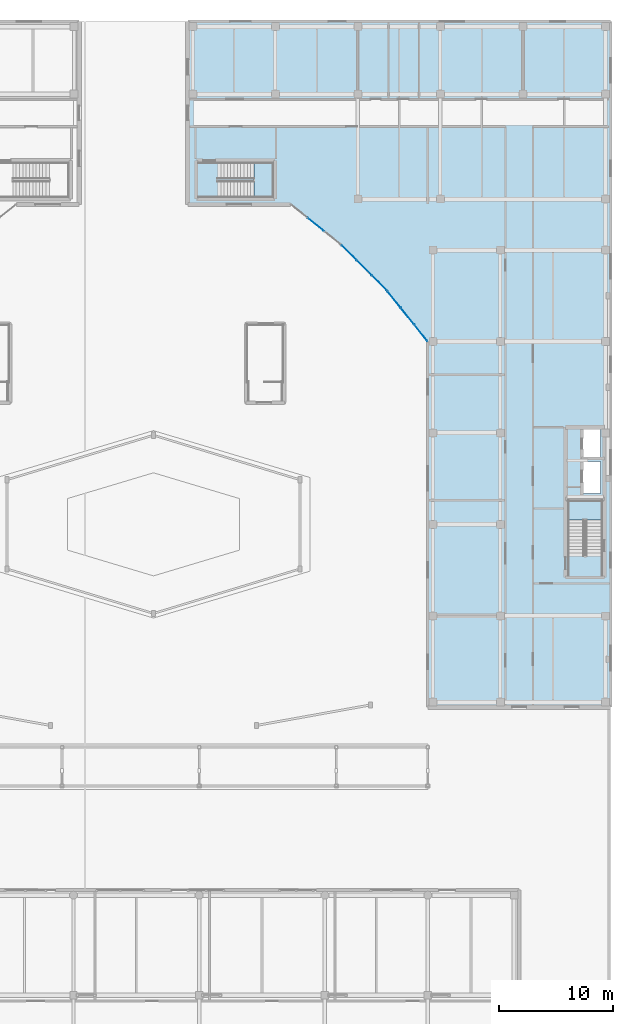
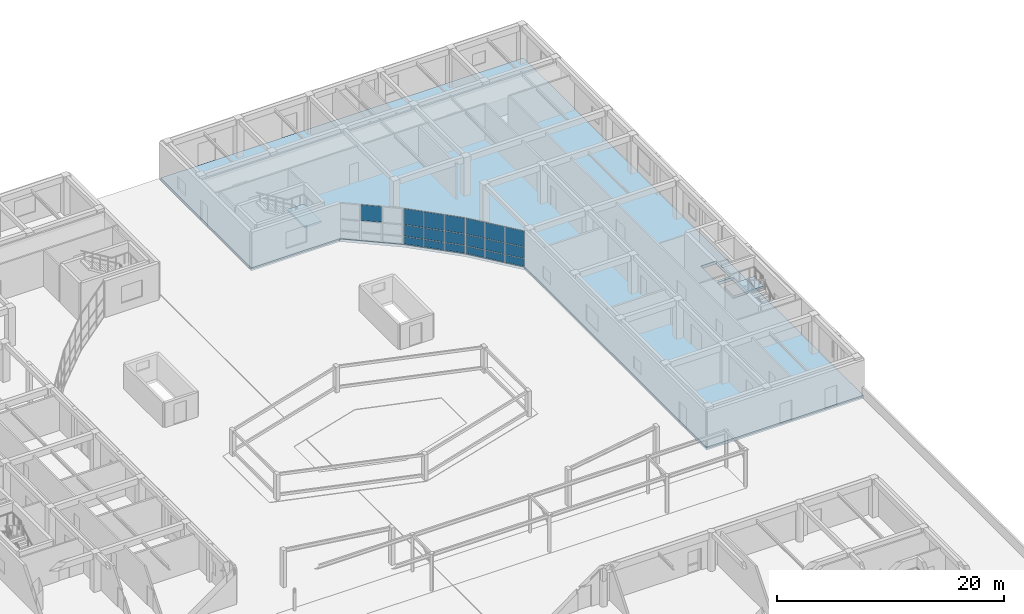
# One storey, part 67 of 114: 19 plates, 3 slabs, 5 elements without a shape of their own.
"""IFC4 building model written with IfcOpenShell, lengths in metres."""

from ifc_helpers import new_model, si_unit, direction, frame, origin, origin_2d, place, context, subcontext, project, spatial, polyline, rectangle, outline, extrude, material, layer, layer_set, type_object, element, aggregate, save


model = new_model("IFC4")

# Units and contexts
model_context = context("Model", 3, precision=1e-05, world=origin(), true_north=direction((0.0, 1.0)))
body_context = subcontext(model_context, "Body", "Model", "MODEL_VIEW")
ifc_project = project(units=[si_unit("LENGTHUNIT", "METRE"), si_unit("AREAUNIT", "SQUARE_METRE"), si_unit("VOLUMEUNIT", "CUBIC_METRE"), si_unit("PLANEANGLEUNIT", "RADIAN"), si_unit("MASSUNIT", "GRAM", prefix="KILO")], contexts=[model_context])

# Site, building, storey
site_placement = place(None, origin())
site = spatial("IfcSite", under=ifc_project, at=site_placement, CompositionType="ELEMENT")
building_placement = place(site_placement, origin())
building = spatial("IfcBuilding", under=site, at=building_placement, Name="Keldmere Railside Commons", CompositionType="ELEMENT")
storey_placement = place(building_placement, origin())
storey = spatial("IfcBuildingStorey", under=building, at=storey_placement, Name="L00", CompositionType="ELEMENT", Elevation=0.0)

# Curtain wall, plate
ifc_material_1 = material(Name="Thermally Broken Aluminium", Category="aluminium")
ifc_layer_1 = layer(ifc_material_1, 0.159912109375, Name="Residential Lounge Frontage CW 4600x3600")
ifc_layer_set_1 = layer_set([ifc_layer_1], Name="Thermally Broken Aluminium")
curtain_wall_type_1 = type_object("IfcCurtainWallType", Name="Residential Lounge Frontage CW 4600x3600", PredefinedType="NOTDEFINED", material=ifc_layer_set_1)
curtain_wall_1_placement = place(storey_placement, origin())
curtain_wall_1 = element("IfcCurtainWall", 1, at=curtain_wall_1_placement, inside=storey, type_object=curtain_wall_type_1, Name="CW-11 CW-L00-157", PredefinedType="NOTDEFINED")
ifc_material_2 = material(Name="Low-E Insulated Double Glazing", Category="glass")
ifc_layer_2 = layer(ifc_material_2, 0.033935546875, Name="Acoustic Laminated Vision Panel 34")
ifc_layer_set_2 = layer_set([ifc_layer_2], Name="Low-E Insulated Double Glazing")
plate_type_1 = type_object("IfcPlateType", Name="Acoustic Laminated Vision Panel 34", PredefinedType="CURTAIN_PANEL", material=ifc_layer_set_2)
plate_1_placement = place(storey_placement, frame((158.215087890625, 98.222900390625, 2.1826171875), z_axis=(0.0, 0.0, 1.0), x_axis=(-0.780009172323, 0.625768080915, 0.0)))
plate_1 = element("IfcPlate", 2, at=plate_1_placement, type_object=plate_type_1, Name="CW-11 panel 2.3", PredefinedType="CURTAIN_PANEL", context=body_context, shape_type="SweptSolid", body=[
    extrude(rectangle(XDim=1.828125, YDim=0.033935546875, at=origin_2d()), origin(), (0.0, 0.0, 1.0), 1.6923828125),
])
aggregate(curtain_wall_1, [plate_1])

# Curtain wall, plates
ifc_layer_3 = layer(ifc_material_1, 0.159912109375, Name="Residential Ground Entrance Lobby CW 4000x3600")
ifc_layer_set_3 = layer_set([ifc_layer_3], Name="Thermally Broken Aluminium")
curtain_wall_type_2 = type_object("IfcCurtainWallType", Name="Residential Ground Entrance Lobby CW 4000x3600", PredefinedType="NOTDEFINED", material=ifc_layer_set_3)
curtain_wall_2_placement = place(storey_placement, origin())
curtain_wall_2 = element("IfcCurtainWall", 3, at=curtain_wall_2_placement, inside=storey, type_object=curtain_wall_type_2, Name="CW-10 CW-L00-158", PredefinedType="NOTDEFINED")
ifc_layer_4 = layer(ifc_material_2, 0.031982421875, Name="Clerestory Solar-Control Vision Panel 32")
ifc_layer_set_4 = layer_set([ifc_layer_4], Name="Low-E Insulated Double Glazing")
plate_type_2 = type_object("IfcPlateType", Name="Clerestory Solar-Control Vision Panel 32", PredefinedType="CURTAIN_PANEL", material=ifc_layer_set_4)
plate_2_placement = place(storey_placement, frame((163.76513671875, 93.11083984375, 0.06494140625), z_axis=(0.0, 0.0, 1.0), x_axis=(-0.707106781187, 0.707106781187, 0.0)))
plate_2 = element("IfcPlate", 4, at=plate_2_placement, type_object=plate_type_2, Name="CW-10 panel 1.1", PredefinedType="CURTAIN_PANEL", context=body_context, shape_type="SweptSolid", body=[
    extrude(rectangle(XDim=1.795654296875, YDim=0.031982421875, at=origin_2d()), origin(), (0.0, 0.0, 1.0), 0.802490234375),
])
plate_3_placement = place(storey_placement, frame((163.76513671875, 93.11083984375, 0.932373046875), z_axis=(0.0, 0.0, 1.0), x_axis=(-0.707106781187, 0.707106781187, 0.0)))
plate_3 = element("IfcPlate", 5, at=plate_3_placement, type_object=plate_type_2, Name="CW-10 panel 1.2", PredefinedType="CURTAIN_PANEL", context=body_context, shape_type="SweptSolid", body=[
    extrude(rectangle(XDim=1.795654296875, YDim=0.031982421875, at=origin_2d()), origin(), (0.0, 0.0, 1.0), 1.18505859375),
])
plate_4_placement = place(storey_placement, frame((163.76513671875, 93.11083984375, 2.1826171875), z_axis=(0.0, 0.0, 1.0), x_axis=(-0.707106781187, 0.707106781187, 0.0)))
plate_4 = element("IfcPlate", 6, at=plate_4_placement, type_object=plate_type_2, Name="CW-10 panel 1.3", PredefinedType="CURTAIN_PANEL", context=body_context, shape_type="SweptSolid", body=[
    extrude(rectangle(XDim=1.795654296875, YDim=0.031982421875, at=origin_2d()), origin(), (0.0, 0.0, 1.0), 1.6923828125),
])
plate_5_placement = place(storey_placement, frame((162.43798828125, 94.43798828125, 0.06494140625), z_axis=(0.0, 0.0, 1.0), x_axis=(-0.707106781187, 0.707106781187, 0.0)))
plate_5 = element("IfcPlate", 7, at=plate_5_placement, type_object=plate_type_2, Name="CW-10 panel 2.1", PredefinedType="CURTAIN_PANEL", context=body_context, shape_type="SweptSolid", body=[
    extrude(rectangle(XDim=1.828125, YDim=0.031982421875, at=origin_2d()), origin(), (0.0, 0.0, 1.0), 0.802490234375),
])
plate_6_placement = place(storey_placement, frame((162.43798828125, 94.43798828125, 0.932373046875), z_axis=(0.0, 0.0, 1.0), x_axis=(-0.707106781187, 0.707106781187, 0.0)))
plate_6 = element("IfcPlate", 8, at=plate_6_placement, type_object=plate_type_2, Name="CW-10 panel 2.2", PredefinedType="CURTAIN_PANEL", context=body_context, shape_type="SweptSolid", body=[
    extrude(rectangle(XDim=1.828125, YDim=0.031982421875, at=origin_2d()), origin(), (0.0, 0.0, 1.0), 1.18505859375),
])
plate_7_placement = place(storey_placement, frame((162.43798828125, 94.43798828125, 2.1826171875), z_axis=(0.0, 0.0, 1.0), x_axis=(-0.707106781187, 0.707106781187, 0.0)))
plate_7 = element("IfcPlate", 9, at=plate_7_placement, type_object=plate_type_2, Name="CW-10 panel 2.3", PredefinedType="CURTAIN_PANEL", context=body_context, shape_type="SweptSolid", body=[
    extrude(rectangle(XDim=1.828125, YDim=0.031982421875, at=origin_2d()), origin(), (0.0, 0.0, 1.0), 1.6923828125),
])
plate_8_placement = place(storey_placement, frame((161.11083984375, 95.76513671875, 0.06494140625), z_axis=(0.0, 0.0, 1.0), x_axis=(-0.707106781187, 0.707106781187, 0.0)))
plate_8 = element("IfcPlate", 10, at=plate_8_placement, type_object=plate_type_2, Name="CW-10 panel 3.1", PredefinedType="CURTAIN_PANEL", context=body_context, shape_type="SweptSolid", body=[
    extrude(rectangle(XDim=1.795654296875, YDim=0.031982421875, at=origin_2d()), origin(), (0.0, 0.0, 1.0), 0.802490234375),
])
plate_9_placement = place(storey_placement, frame((161.11083984375, 95.76513671875, 0.932373046875), z_axis=(0.0, 0.0, 1.0), x_axis=(-0.707106781187, 0.707106781187, 0.0)))
plate_9 = element("IfcPlate", 11, at=plate_9_placement, type_object=plate_type_2, Name="CW-10 panel 3.2", PredefinedType="CURTAIN_PANEL", context=body_context, shape_type="SweptSolid", body=[
    extrude(rectangle(XDim=1.795654296875, YDim=0.031982421875, at=origin_2d()), origin(), (0.0, 0.0, 1.0), 1.18505859375),
])
plate_10_placement = place(storey_placement, frame((161.11083984375, 95.76513671875, 2.1826171875), z_axis=(0.0, 0.0, 1.0), x_axis=(-0.707106781187, 0.707106781187, 0.0)))
plate_10 = element("IfcPlate", 12, at=plate_10_placement, type_object=plate_type_2, Name="CW-10 panel 3.3", PredefinedType="CURTAIN_PANEL", context=body_context, shape_type="SweptSolid", body=[
    extrude(rectangle(XDim=1.795654296875, YDim=0.031982421875, at=origin_2d()), origin(), (0.0, 0.0, 1.0), 1.6923828125),
])
aggregate(curtain_wall_2, [plate_2, plate_3, plate_4, plate_5, plate_6, plate_7, plate_8, plate_9, plate_10])

# Stair, slab
ifc_material_3 = material(Name="Concrete H-30 (C30/37)", Category="concrete")
stair_type = type_object("IfcStairType", Name="Ground Podium Dogleg Stair 1450", PredefinedType="HALF_TURN_STAIR", material=ifc_material_3)
stair_1_placement = place(storey_placement, origin())
stair_1 = element("IfcStair", 13, at=stair_1_placement, inside=storey, type_object=stair_type, Name="L00 Block A Primary Escape Stair 1", PredefinedType="HALF_TURN_STAIR")
ifc_layer_5 = layer(ifc_material_3, 0.199951171875, Name="Enclosed Stair Landing Slab 200")
ifc_layer_set_5 = layer_set([ifc_layer_5], Name="Concrete H-30 (C30/37)")
slab_type_1 = type_object("IfcSlabType", Name="Enclosed Stair Landing Slab 200", PredefinedType="LANDING", material=ifc_layer_set_5)
slab_1_placement = place(storey_placement, frame((0.0, 0.0, 1.8798828125)))
slab_1 = element("IfcSlab", 14, at=slab_1_placement, type_object=slab_type_1, Name="ST-A1 landing 1", PredefinedType="LANDING", context=body_context, shape_type="SweptSolid", body=[
    extrude(outline(polyline([(183.300048828125, 72.389892578125), (183.300048828125, 74.10009765625), (180.25, 74.10009765625), (180.25, 72.389892578125), (183.300048828125, 72.389892578125)])), origin(), (0.0, 0.0, 1.0), 0.2001953125),
])
aggregate(stair_1, [slab_1])

stair_2_placement = place(storey_placement, origin())
stair_2 = element("IfcStair", 15, at=stair_2_placement, inside=storey, type_object=stair_type, Name="L00 Block A Secondary Escape Stair 2", PredefinedType="HALF_TURN_STAIR")
slab_2_placement = place(storey_placement, frame((0.0, 0.0, 1.8798828125)))
slab_2 = element("IfcSlab", 16, at=slab_2_placement, type_object=slab_type_1, Name="ST-A2 landing 1", PredefinedType="LANDING", context=body_context, shape_type="SweptSolid", body=[
    extrude(outline(polyline([(152.7900390625, 100.60009765625), (154.5, 100.60009765625), (154.5, 103.64990234375), (152.7900390625, 103.64990234375), (152.7900390625, 100.60009765625)])), origin(), (0.0, 0.0, 1.0), 0.2001953125),
])
aggregate(stair_2, [slab_2])

# Slab
ifc_material_4 = material(Name="Concrete H-35 (C35/45)", Category="concrete")
ifc_layer_6 = layer(ifc_material_4, 0.320068359375, Name="Ground Podium Transfer Slab 320")
ifc_layer_set_6 = layer_set([ifc_layer_6], Name="Concrete H-35 (C35/45)")
slab_type_2 = type_object("IfcSlabType", Name="Ground Podium Transfer Slab 320", PredefinedType="FLOOR", material=ifc_layer_set_6)
slab_3_placement = place(storey_placement, frame((0.0, 0.0, -0.320068359375)))
element("IfcSlab", 17, at=slab_3_placement, inside=storey, type_object=slab_type_2, Name="FS-1 BLKA-L00-053", PredefinedType="FLOOR", context=body_context, shape_type="SweptSolid", body=[
    extrude(outline(polyline([(168.0, 56.0), (184.0, 56.0), (184.0, 116.0), (147.0, 116.0), (147.0, 100.0), (156.0, 100.0), (160.429931640625, 96.446044921875), (164.446044921875, 92.429931640625), (168.0, 88.0), (168.0, 56.0)]), holes=[polyline([(183.10009765625, 74.699951171875), (181.5, 74.699951171875), (181.5, 77.5), (183.10009765625, 77.5), (183.10009765625, 74.699951171875)]), polyline([(183.10009765625, 77.75), (181.5, 77.75), (181.5, 80.39990234375), (183.10009765625, 80.39990234375), (183.10009765625, 77.75)])]), origin(), (0.0, 0.0, 1.0), 0.320068359375),
])

# Curtain wall, plates
curtain_wall_3_placement = place(storey_placement, origin())
curtain_wall_3 = element("IfcCurtainWall", 18, at=curtain_wall_3_placement, inside=storey, type_object=curtain_wall_type_1, Name="CW-11 CW-L00-159", PredefinedType="NOTDEFINED")
ifc_layer_7 = layer(ifc_material_2, 0.028076171875, Name="Low-E Vision Glazing Panel 28")
ifc_layer_set_7 = layer_set([ifc_layer_7], Name="Low-E Insulated Double Glazing")
plate_type_3 = type_object("IfcPlateType", Name="Low-E Vision Glazing Panel 28", PredefinedType="CURTAIN_PANEL", material=ifc_layer_set_7)
plate_11_placement = place(storey_placement, frame((167.3974609375, 88.7509765625, 0.06494140625), z_axis=(0.0, 0.0, 1.0), x_axis=(-0.625768080915, 0.780009172323, 0.0)))
plate_11 = element("IfcPlate", 19, at=plate_11_placement, type_object=plate_type_3, Name="CW-11 panel 1.1", PredefinedType="CURTAIN_PANEL", context=body_context, shape_type="SweptSolid", body=[
    extrude(rectangle(XDim=1.795654296875, YDim=0.028076171875, at=origin_2d()), origin(), (0.0, 0.0, 1.0), 0.802490234375),
])
plate_12_placement = place(storey_placement, frame((167.3974609375, 88.7509765625, 0.932373046875), z_axis=(0.0, 0.0, 1.0), x_axis=(-0.625768080915, 0.780009172323, 0.0)))
plate_12 = element("IfcPlate", 20, at=plate_12_placement, type_object=plate_type_3, Name="CW-11 panel 1.2", PredefinedType="CURTAIN_PANEL", context=body_context, shape_type="SweptSolid", body=[
    extrude(rectangle(XDim=1.795654296875, YDim=0.028076171875, at=origin_2d()), origin(), (0.0, 0.0, 1.0), 1.18505859375),
])
plate_13_placement = place(storey_placement, frame((167.3974609375, 88.7509765625, 2.1826171875), z_axis=(0.0, 0.0, 1.0), x_axis=(-0.625768080915, 0.780009172323, 0.0)))
plate_13 = element("IfcPlate", 21, at=plate_13_placement, type_object=plate_type_3, Name="CW-11 panel 1.3", PredefinedType="CURTAIN_PANEL", context=body_context, shape_type="SweptSolid", body=[
    extrude(rectangle(XDim=1.795654296875, YDim=0.028076171875, at=origin_2d()), origin(), (0.0, 0.0, 1.0), 1.6923828125),
])
plate_14_placement = place(storey_placement, frame((166.222900390625, 90.215087890625, 0.06494140625), z_axis=(0.0, 0.0, 1.0), x_axis=(-0.625768080915, 0.780009172323, 0.0)))
plate_14 = element("IfcPlate", 22, at=plate_14_placement, type_object=plate_type_3, Name="CW-11 panel 2.1", PredefinedType="CURTAIN_PANEL", context=body_context, shape_type="SweptSolid", body=[
    extrude(rectangle(XDim=1.828125, YDim=0.028076171875, at=origin_2d()), origin(), (0.0, 0.0, 1.0), 0.802490234375),
])
plate_15_placement = place(storey_placement, frame((166.222900390625, 90.215087890625, 0.932373046875), z_axis=(0.0, 0.0, 1.0), x_axis=(-0.625768080915, 0.780009172323, 0.0)))
plate_15 = element("IfcPlate", 23, at=plate_15_placement, type_object=plate_type_3, Name="CW-11 panel 2.2", PredefinedType="CURTAIN_PANEL", context=body_context, shape_type="SweptSolid", body=[
    extrude(rectangle(XDim=1.828125, YDim=0.028076171875, at=origin_2d()), origin(), (0.0, 0.0, 1.0), 1.18505859375),
])
plate_16_placement = place(storey_placement, frame((166.222900390625, 90.215087890625, 2.1826171875), z_axis=(0.0, 0.0, 1.0), x_axis=(-0.625768080915, 0.780009172323, 0.0)))
plate_16 = element("IfcPlate", 24, at=plate_16_placement, type_object=plate_type_3, Name="CW-11 panel 2.3", PredefinedType="CURTAIN_PANEL", context=body_context, shape_type="SweptSolid", body=[
    extrude(rectangle(XDim=1.828125, YDim=0.028076171875, at=origin_2d()), origin(), (0.0, 0.0, 1.0), 1.6923828125),
])
plate_17_placement = place(storey_placement, frame((165.048583984375, 91.678955078125, 0.06494140625), z_axis=(0.0, 0.0, 1.0), x_axis=(-0.625768080915, 0.780009172323, 0.0)))
plate_17 = element("IfcPlate", 25, at=plate_17_placement, type_object=plate_type_3, Name="CW-11 panel 3.1", PredefinedType="CURTAIN_PANEL", context=body_context, shape_type="SweptSolid", body=[
    extrude(rectangle(XDim=1.795654296875, YDim=0.028076171875, at=origin_2d()), origin(), (0.0, 0.0, 1.0), 0.802490234375),
])
plate_18_placement = place(storey_placement, frame((165.048583984375, 91.678955078125, 0.932373046875), z_axis=(0.0, 0.0, 1.0), x_axis=(-0.625768080915, 0.780009172323, 0.0)))
plate_18 = element("IfcPlate", 26, at=plate_18_placement, type_object=plate_type_3, Name="CW-11 panel 3.2", PredefinedType="CURTAIN_PANEL", context=body_context, shape_type="SweptSolid", body=[
    extrude(rectangle(XDim=1.795654296875, YDim=0.028076171875, at=origin_2d()), origin(), (0.0, 0.0, 1.0), 1.18505859375),
])
plate_19_placement = place(storey_placement, frame((165.048583984375, 91.678955078125, 2.1826171875), z_axis=(0.0, 0.0, 1.0), x_axis=(-0.625768080915, 0.780009172323, 0.0)))
plate_19 = element("IfcPlate", 27, at=plate_19_placement, type_object=plate_type_3, Name="CW-11 panel 3.3", PredefinedType="CURTAIN_PANEL", context=body_context, shape_type="SweptSolid", body=[
    extrude(rectangle(XDim=1.795654296875, YDim=0.028076171875, at=origin_2d()), origin(), (0.0, 0.0, 1.0), 1.6923828125),
])
aggregate(curtain_wall_3, [plate_11, plate_12, plate_13, plate_14, plate_15, plate_16, plate_17, plate_18, plate_19])

save(model, "model.ifc")
